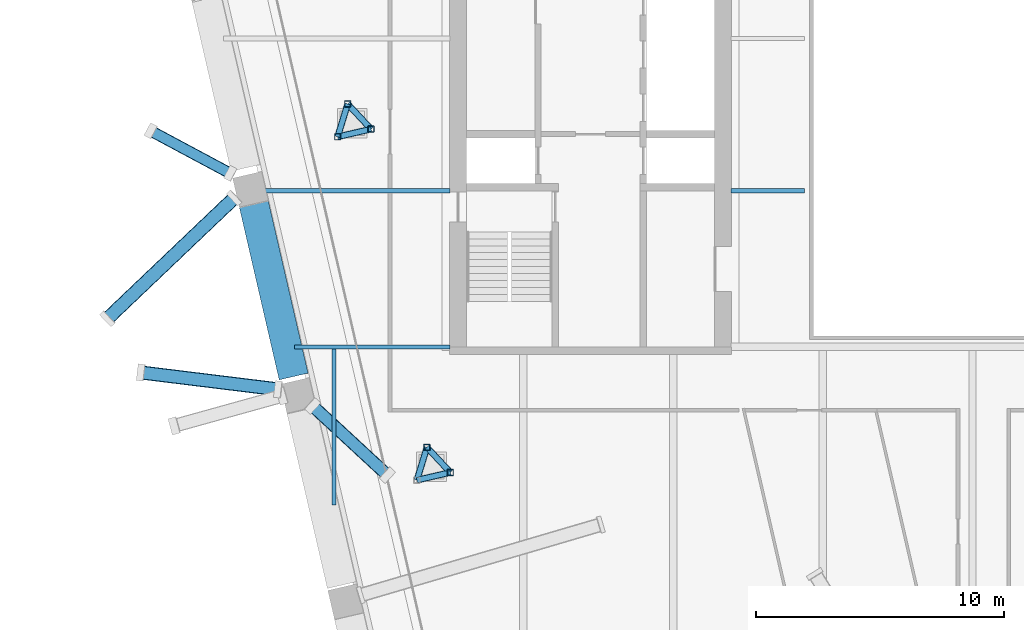
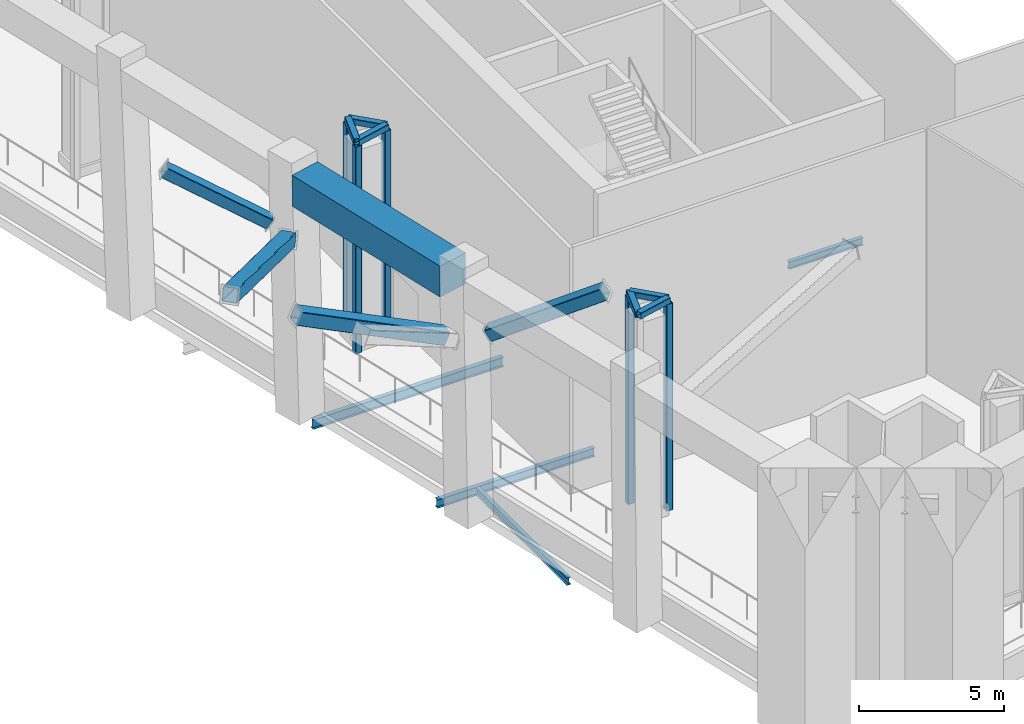
# One storey, part 3 of 25: 15 members, 5 beams.
"""IFC4 building model written with IfcOpenShell, lengths in metres."""

import ifcopenshell
import ifcopenshell.guid

model = None  # the IFC model being written
_history = None  # IfcOwnerHistory: only IFC2X3 demands one
_inside = {}  # id of a spatial element -> (the spatial element, [elements in it])
_under = {}  # id of a project, library or spatial element -> (it, [spatial elements below it])
_declared = {}  # id of a project -> (the project, [libraries it declares])
_typed = {}  # id of a type object -> (the type object, [elements of that type])
_made_of = {}  # id of a material, layer set ... -> (it, [elements and type objects made of it])


def new_model(schema):
    """Start an empty IFC model of exactly this schema.

    Asked for "IFC4X3", IfcOpenShell would pick the latest addendum, in which some entities
    have other attributes; the version numbers below select the first issue.
    IFC2X3 requires an IfcOwnerHistory on every rooted entity: one is made here for all.
    """
    global model, _history
    if schema == "IFC4X3":
        model = ifcopenshell.file(schema_version=(4, 3, 0, 0))
    else:
        model = ifcopenshell.file(schema=schema)
    _inside.clear()
    _under.clear()
    _declared.clear()
    _typed.clear()
    _made_of.clear()
    _history = None
    if model.schema == "IFC2X3":
        org = make("IfcOrganization", Name="unknown")
        user = make(
            "IfcPersonAndOrganization",
            ThePerson=make("IfcPerson", FamilyName="unknown"),
            TheOrganization=org,
        )
        app = make(
            "IfcApplication",
            ApplicationDeveloper=org,
            Version="unknown",
            ApplicationFullName="unknown",
            ApplicationIdentifier="unknown",
        )
        _history = make(
            "IfcOwnerHistory",
            OwningUser=user,
            OwningApplication=app,
            ChangeAction="ADDED",
            CreationDate=0,
        )
    return model


def make(cls, **values):
    """One entity of the class cls with the attributes given. An attribute that is None is left unset."""
    return model.create_entity(
        cls, **{name: value for name, value in values.items() if value is not None}
    )


def rooted(cls, **values):
    """An entity with a GlobalId (a new one), such as an element, a storey or a relation."""
    return make(cls, GlobalId=ifcopenshell.guid.new(), OwnerHistory=_history, **values)


def si_unit(unit_type, name, prefix=None):
    """IfcSIUnit, for example si_unit("LENGTHUNIT", "METRE", prefix="MILLI")."""
    return make("IfcSIUnit", UnitType=unit_type, Prefix=prefix, Name=name)


def assignment(units):
    """IfcUnitAssignment: the units of a project."""
    return None if units is None else make("IfcUnitAssignment", Units=units)


def point(xyz):
    """IfcCartesianPoint."""
    return None if xyz is None else make("IfcCartesianPoint", Coordinates=xyz)


def direction(xyz):
    """IfcDirection."""
    return None if xyz is None else make("IfcDirection", DirectionRatios=xyz)


def frame(location, z_axis=None, x_axis=None):
    """IfcAxis2Placement3D, a coordinate frame: its origin and axes. An axis left out is left unset."""
    return make(
        "IfcAxis2Placement3D",
        Location=point(location),
        Axis=direction(z_axis),
        RefDirection=direction(x_axis),
    )


def frame_2d(location, x_axis=None):
    """IfcAxis2Placement2D, a coordinate frame in the plane: its origin and x axis."""
    return make(
        "IfcAxis2Placement2D", Location=point(location), RefDirection=direction(x_axis)
    )


def origin():
    """The frame at (0, 0, 0) with its axes left unset."""
    return frame((0.0, 0.0, 0.0))


def origin_2d():
    """The frame at (0, 0) in the plane with its x axis left unset."""
    return frame_2d((0.0, 0.0))


def place(relative_to, where):
    """IfcLocalPlacement: puts the frame where relative to a parent placement (None: the world)."""
    return make(
        "IfcLocalPlacement", PlacementRelTo=relative_to, RelativePlacement=where
    )


def context(
    kind, dimensions, precision=None, world=None, true_north=None, identifier=None
):
    """IfcGeometricRepresentationContext, for example the 3D "Model" context."""
    return make(
        "IfcGeometricRepresentationContext",
        ContextIdentifier=identifier,
        ContextType=kind,
        CoordinateSpaceDimension=dimensions,
        Precision=precision,
        WorldCoordinateSystem=world,
        TrueNorth=true_north,
    )


def subcontext(parent, identifier, kind, view, scale=None):
    """IfcGeometricRepresentationSubContext, for example "Body" below "Model"."""
    return make(
        "IfcGeometricRepresentationSubContext",
        ContextIdentifier=identifier,
        ContextType=kind,
        ParentContext=parent,
        TargetScale=scale,
        TargetView=view,
    )


def project(units=None, contexts=None):
    """IfcProject with its units and contexts."""
    return rooted(
        "IfcProject",
        Name="project",
        RepresentationContexts=contexts,
        UnitsInContext=assignment(units),
    )


def spatial(cls, under=None, at=None, **own):
    """A site, building, storey or space (cls), placed at a placement, below another one or the project."""
    s = rooted(cls, ObjectPlacement=at, **own)
    if under is not None:
        _under.setdefault(under.id(), (under, []))[1].append(s)
    return s


def profile(cls, at=None, kind="AREA", **sizes):
    """A parametric profile (cls). Its sizes go by their IFC names, for example OverallWidth=200.0."""
    return make(cls, ProfileType=kind, Position=at, **sizes)


def rectangle(**sizes):
    """IfcRectangleProfileDef."""
    return profile("IfcRectangleProfileDef", **sizes)


def hollow_rectangle(**sizes):
    """IfcRectangleHollowProfileDef."""
    return profile("IfcRectangleHollowProfileDef", **sizes)


def i_section(**sizes):
    """IfcIShapeProfileDef."""
    return profile("IfcIShapeProfileDef", **sizes)


def extrude(swept, where, along, depth):
    """IfcExtrudedAreaSolid: the profile swept, set in the frame where, extruded along a direction by depth."""
    return make(
        "IfcExtrudedAreaSolid",
        SweptArea=swept,
        Position=where,
        ExtrudedDirection=direction(along),
        Depth=depth,
    )


def shape(context_of_items, identifier, shape_type, items):
    """IfcShapeRepresentation: the items that make up one representation, for example the "Body"."""
    return make(
        "IfcShapeRepresentation",
        ContextOfItems=context_of_items,
        RepresentationIdentifier=identifier,
        RepresentationType=shape_type,
        Items=items,
    )


def material(Name=None, Category=None):
    """IfcMaterial."""
    return make("IfcMaterial", Name=Name, Category=Category)


def material_profile(
    of_material, cross_section, Name=None, Category=None, Priority=None
):
    """IfcMaterialProfile: a cross section and its material."""
    return make(
        "IfcMaterialProfile",
        Name=Name,
        Material=of_material,
        Profile=cross_section,
        Priority=Priority,
        Category=Category,
    )


def profile_set(profiles, Name=None, composite=None):
    """IfcMaterialProfileSet."""
    return make(
        "IfcMaterialProfileSet",
        Name=Name,
        MaterialProfiles=profiles,
        CompositeProfile=composite,
    )


def made_of(thing, what):
    """Note that an element or type object is made of a material, layer set ...; save() writes the relation."""
    if what is not None:
        _made_of.setdefault(what.id(), (what, []))[1].append(thing)
    return thing


def type_object(cls, material=None, **own):
    """A type object (cls), such as IfcWallType, which elements share."""
    return made_of(rooted(cls, **own), material)


def element(
    cls,
    number,
    at=None,
    inside=None,
    cuts=None,
    type_object=None,
    material=None,
    context=None,
    identifier="Body",
    shape_type=None,
    held_by="IfcProductDefinitionShape",
    body=None,
    shapes=None,
    **own,
):
    """One element of the class cls, such as IfcWall. Its Tag is "e" and its number.

    at: its placement. inside: the storey or other place that contains it. cuts: it is an
    opening in that element (IfcRelVoidsElement). A single representation is given by context,
    identifier, shape_type and body (its items); several are given by shapes. held_by: the class
    of the entity that holds the representations. save() writes the other relations.
    """
    e = rooted(cls, Tag="e%d" % number, ObjectPlacement=at, **own)
    if body is not None:
        shapes = [shape(context, identifier, shape_type, body)]
    if shapes is not None:
        e.Representation = make(held_by, Representations=shapes)
    if inside is not None:
        _inside.setdefault(inside.id(), (inside, []))[1].append(e)
    if cuts is not None:
        rooted(
            "IfcRelVoidsElement", RelatingBuildingElement=cuts, RelatedOpeningElement=e
        )
    if type_object is not None:
        _typed.setdefault(type_object.id(), (type_object, []))[1].append(e)
    return made_of(e, material)


def aggregate(whole, parts):
    """IfcRelAggregates: a whole, such as a stair, and the parts it consists of."""
    return rooted("IfcRelAggregates", RelatingObject=whole, RelatedObjects=parts)


def save(model, path):
    """Write the relations noted so far, then the file.

    IfcRelAggregates (storeys below a building ...), IfcRelContainedInSpatialStructure (elements
    in a storey), IfcRelDefinesByType, IfcRelAssociatesMaterial and IfcRelDeclares: one each for
    every whole, place, type object, material and project.
    """
    for whole, parts in _under.values():
        aggregate(whole, parts)
    for where, things in _inside.values():
        rooted(
            "IfcRelContainedInSpatialStructure",
            RelatedElements=things,
            RelatingStructure=where,
        )
    for kind, things in _typed.values():
        rooted("IfcRelDefinesByType", RelatedObjects=things, RelatingType=kind)
    for what, things in _made_of.values():
        rooted("IfcRelAssociatesMaterial", RelatedObjects=things, RelatingMaterial=what)
    for by, libraries in _declared.values():
        rooted("IfcRelDeclares", RelatingContext=by, RelatedDefinitions=libraries)
    model.write(path)


model = new_model("IFC4")

# Units and contexts
model_context = context("Model", 3, precision=1e-05, world=origin(), true_north=direction((0.0, 1.0)))
body_context = subcontext(model_context, "Body", "Model", "MODEL_VIEW")
ifc_project = project(units=[si_unit("LENGTHUNIT", "METRE"), si_unit("AREAUNIT", "SQUARE_METRE"), si_unit("VOLUMEUNIT", "CUBIC_METRE"), si_unit("PLANEANGLEUNIT", "RADIAN"), si_unit("MASSUNIT", "GRAM", prefix="KILO")], contexts=[model_context])

# Site, building, storey
site_placement = place(None, origin())
site = spatial("IfcSite", under=ifc_project, at=site_placement, CompositionType="ELEMENT")
building_placement = place(site_placement, origin())
building = spatial("IfcBuilding", under=site, at=building_placement, Name="Ogive Exchange Tower", CompositionType="ELEMENT")
storey_placement = place(building_placement, frame((0.0, 0.0, 226.199951171875)))
storey = spatial("IfcBuildingStorey", under=building, at=storey_placement, Name="L50", CompositionType="ELEMENT", Elevation=226.199951171875)

# Members
ifc_material_1 = material(Name="Steel ASTM A1085 Gr A", Category="steel")
ifc_material_profile_1 = material_profile(ifc_material_1, hollow_rectangle(XDim=0.45703125, YDim=0.45703125, WallThickness=0.01904296875, InnerFilletRadius=0.01904296875, OuterFilletRadius=0.0380859375, at=origin_2d()), Name="HSS457.2x457.2x19")
ifc_profile_set_1 = profile_set([ifc_material_profile_1], Name="Steel ASTM A1085 Gr A")
member_type_1 = type_object("IfcMemberType", Name="Block-change strut HSS457.2x457.2x19", PredefinedType="STRUT", material=ifc_profile_set_1)
member_1_placement = place(storey_placement, frame((-30.55078125, 4.561767578125, 7.896240234375), z_axis=(-0.749286570515, 0.401158088234, 0.526917283347), x_axis=(-0.471997019757, -0.881600143682, 0.0)))
element("IfcMember", 1, at=member_1_placement, inside=storey, type_object=member_type_1, Name="Block-change strut 29", PredefinedType="STRUT", context=body_context, shape_type="SweptSolid", body=[
    extrude(hollow_rectangle(XDim=0.45703125, YDim=0.45703125, WallThickness=0.01904296875, InnerFilletRadius=0.01904296875, OuterFilletRadius=0.0380859375, at=origin_2d()), origin(), (0.0, 0.0, 1.0), 4.26318359375),
])
ifc_material_profile_2 = material_profile(ifc_material_1, hollow_rectangle(XDim=0.508056640625, YDim=0.508056640625, WallThickness=0.01904296875, InnerFilletRadius=0.01904296875, OuterFilletRadius=0.0380859375, at=origin_2d()), Name="HSS508x508x19")
ifc_profile_set_2 = profile_set([ifc_material_profile_2], Name="Steel ASTM A1085 Gr A")
member_type_2 = type_object("IfcMemberType", Name="Block-change strut HSS508x508x19", PredefinedType="STRUT", material=ifc_profile_set_2)
member_2_placement = place(storey_placement, frame((-27.21728515625, -4.833251953125, 7.742919921875), z_axis=(0.634941567723, -0.587262899817, 0.501967620545), x_axis=(0.679005810221, 0.734132896474, 0.0)))
element("IfcMember", 2, at=member_2_placement, inside=storey, type_object=member_type_2, Name="Block-change strut 2", PredefinedType="STRUT", context=body_context, shape_type="SweptSolid", body=[
    extrude(hollow_rectangle(XDim=0.508056640625, YDim=0.508056640625, WallThickness=0.01904296875, InnerFilletRadius=0.01904296875, OuterFilletRadius=0.0380859375, at=origin_2d()), origin(), (0.0, 0.0, 1.0), 4.7314453125),
])
ifc_material_profile_3 = material_profile(ifc_material_1, hollow_rectangle(XDim=0.55908203125, YDim=0.55908203125, WallThickness=0.022216796875, InnerFilletRadius=0.022216796875, OuterFilletRadius=0.04443359375, at=origin_2d()), Name="HSS558.8x558.8x22.2")
ifc_profile_set_3 = profile_set([ifc_material_profile_3], Name="Steel ASTM A1085 Gr A")
member_type_3 = type_object("IfcMemberType", Name="Block-change strut HSS558.8x558.8x22.2", PredefinedType="STRUT", material=ifc_profile_set_3)
member_3_placement = place(storey_placement, frame((-30.396240234375, 3.56201171875, 7.693359375), z_axis=(-0.685868796235, -0.65346141361, 0.320268910877), x_axis=(0.689795223202, -0.724004523499, 0.0)))
element("IfcMember", 3, at=member_3_placement, inside=storey, type_object=member_type_3, Name="Block-change strut 30", PredefinedType="STRUT", context=body_context, shape_type="SweptSolid", body=[
    extrude(hollow_rectangle(XDim=0.55908203125, YDim=0.55908203125, WallThickness=0.022216796875, InnerFilletRadius=0.022216796875, OuterFilletRadius=0.04443359375, at=origin_2d()), origin(), (0.0, 0.0, 1.0), 7.443115234375),
])
member_4_placement = place(storey_placement, frame((-28.631103515625, -4.156982421875, 7.702880859375), z_axis=(-0.912362042658, 0.112066424769, 0.393746897836), x_axis=(-0.121914840029, -0.9925405643, 0.0)))
element("IfcMember", 4, at=member_4_placement, inside=storey, type_object=member_type_3, Name="Block-change strut 34", PredefinedType="STRUT", context=body_context, shape_type="SweptSolid", body=[
    extrude(hollow_rectangle(XDim=0.55908203125, YDim=0.55908203125, WallThickness=0.022216796875, InnerFilletRadius=0.022216796875, OuterFilletRadius=0.04443359375, at=origin_2d()), origin(), (0.0, 0.0, 1.0), 6.04541015625),
])

# Beams
ifc_material_2 = material(Name="Steel ASTM A992 Gr50", Category="steel")
ifc_material_profile_4 = material_profile(ifc_material_2, i_section(OverallWidth=0.1650390625, OverallDepth=0.31005859375, WebThickness=0.005859375, FlangeThickness=0.009765625, at=origin_2d()), Name="W310x38.7")
ifc_profile_set_4 = profile_set([ifc_material_profile_4], Name="Steel ASTM A992 Gr50")
beam_type_1 = type_object("IfcBeamType", Name="Floor beam W310x38.7", PredefinedType="JOIST", material=ifc_profile_set_4)
beam_1_placement = place(storey_placement, frame((-10.320068359375, 3.8583984375, -0.60498046875), z_axis=(1.0, 0.0, 0.0), x_axis=(0.0, 1.0, 0.0)))
element("IfcBeam", 5, at=beam_1_placement, inside=storey, type_object=beam_type_1, Name="Floor beam", PredefinedType="JOIST", context=body_context, shape_type="SweptSolid", body=[
    extrude(i_section(OverallWidth=0.1650390625, OverallDepth=0.31005859375, WebThickness=0.005859375, FlangeThickness=0.009765625, at=origin_2d()), origin(), (0.0, 0.0, 1.0), 2.949951171875),
])
beam_2_placement = place(storey_placement, frame((-26.361083984375, -8.830810546875, -0.60498046875), z_axis=(0.0, 1.0, 0.0), x_axis=(-1.0, 0.0, 0.0)))
element("IfcBeam", 6, at=beam_2_placement, inside=storey, type_object=beam_type_1, Name="Floor beam", PredefinedType="JOIST", context=body_context, shape_type="SweptSolid", body=[
    extrude(i_section(OverallWidth=0.1650390625, OverallDepth=0.31005859375, WebThickness=0.005859375, FlangeThickness=0.009765625, at=origin_2d()), origin(), (0.0, 0.0, 1.0), 6.30029296875),
])
ifc_material_profile_5 = material_profile(ifc_material_2, i_section(OverallWidth=0.177978515625, OverallDepth=0.406005859375, WebThickness=0.0078125, FlangeThickness=0.0126953125, at=origin_2d()), Name="W410x60")
ifc_profile_set_5 = profile_set([ifc_material_profile_5], Name="Steel ASTM A992 Gr50")
beam_type_2 = type_object("IfcBeamType", Name="Floor beam W410x60", PredefinedType="JOIST", material=ifc_profile_set_5)
beam_3_placement = place(storey_placement, frame((-29.255859375, 3.8583984375, -0.65283203125), z_axis=(1.0, 0.0, 0.0), x_axis=(0.0, 1.0, 0.0)))
element("IfcBeam", 7, at=beam_3_placement, inside=storey, type_object=beam_type_2, Name="Floor beam", PredefinedType="JOIST", context=body_context, shape_type="SweptSolid", body=[
    extrude(i_section(OverallWidth=0.177978515625, OverallDepth=0.406005859375, WebThickness=0.0078125, FlangeThickness=0.0126953125, at=origin_2d()), origin(), (0.0, 0.0, 1.0), 7.575927734375),
])
ifc_material_profile_6 = material_profile(ifc_material_2, i_section(OverallWidth=0.1708984375, OverallDepth=0.35595703125, WebThickness=0.00732421875, FlangeThickness=0.01171875, at=origin_2d()), Name="W360x51")
ifc_profile_set_6 = profile_set([ifc_material_profile_6], Name="Steel ASTM A992 Gr50")
beam_type_3 = type_object("IfcBeamType", Name="Girder W360x51", PredefinedType="BEAM", material=ifc_profile_set_6)
beam_4_placement = place(storey_placement, frame((-27.95068359375, -2.445068359375, -0.6279296875), z_axis=(1.0, 0.0, 0.0), x_axis=(0.0, 1.0, 0.0)))
element("IfcBeam", 8, at=beam_4_placement, inside=storey, type_object=beam_type_3, Name="Header girder", PredefinedType="BEAM", context=body_context, shape_type="SweptSolid", body=[
    extrude(i_section(OverallWidth=0.1708984375, OverallDepth=0.35595703125, WebThickness=0.00732421875, FlangeThickness=0.01171875, at=origin_2d()), origin(), (0.0, 0.0, 1.0), 6.270751953125),
])
ifc_material_3 = material(Name="Precast concrete C70/85 (limestone faced)", Category="masonry")
ifc_material_profile_7 = material_profile(ifc_material_3, rectangle(XDim=1.199951171875, YDim=1.300048828125, at=origin_2d()), Name="1200 x 1300")
ifc_profile_set_7 = profile_set([ifc_material_profile_7], Name="Precast concrete C70/85 (limestone faced)")
beam_type_4 = type_object("IfcBeamType", Name="Precast portal header beam 1200 x 1300 C70/85", PredefinedType="BEAM", material=ifc_profile_set_7)
beam_5_placement = place(storey_placement, frame((-29.669921875, 3.65087890625, 9.699951171875), z_axis=(0.224957186508, -0.974368649043, 0.0), x_axis=(0.974368649043, 0.224957186508, 0.0)))
element("IfcBeam", 9, at=beam_5_placement, inside=storey, type_object=beam_type_4, Name="Slot header beam 30", PredefinedType="BEAM", context=body_context, shape_type="SweptSolid", body=[
    extrude(rectangle(XDim=1.199951171875, YDim=1.300048828125, at=origin_2d()), origin(), (0.0, 0.0, 1.0), 7.484130859375),
])

# Members
ifc_material_profile_8 = material_profile(ifc_material_1, hollow_rectangle(XDim=0.25390625, YDim=0.25390625, WallThickness=0.0126953125, InnerFilletRadius=0.0126953125, OuterFilletRadius=0.025390625, at=origin_2d()), Name="HSS254x254x12.7")
ifc_profile_set_8 = profile_set([ifc_material_profile_8], Name="Steel ASTM A1085 Gr A")
member_type_4 = type_object("IfcMemberType", Name="Turbine cage mast HSS254x254x12.7", PredefinedType="POST", material=ifc_profile_set_8)
for number, where, z_axis, x_axis, name in (
    (10, (-24.86083984375, 6.349853515625, 0.0), (0.0, 0.0, 1.0), (1.0, 0.0, 0.0), "Turbine cage mast 09.1"),
    (11, (-25.805908203125, 7.36328125, 0.0), (0.0, 0.0, 1.0), (1.0, 0.0, 0.0), "Turbine cage mast 09.2"),
    (12, (-26.2109375, 6.0380859375, 0.0), (0.0, 0.0, 1.0), (1.0, 0.0, 0.0), "Turbine cage mast 09.3"),
    (13, (-21.66015625, -7.513916015625, 0.0), (0.0, 0.0, 1.0), (1.0, 0.0, 0.0), "Turbine cage mast 10.1"),
    (14, (-22.605224609375, -6.50048828125, 0.0), (0.0, 0.0, 1.0), (1.0, 0.0, 0.0), "Turbine cage mast 10.2"),
):
    element("IfcMember", number, at=place(storey_placement, frame(where, z_axis=z_axis, x_axis=x_axis)), inside=storey, type_object=member_type_4, Name=name, PredefinedType="POST", context=body_context, shape_type="SweptSolid", body=[
        extrude(hollow_rectangle(XDim=0.25390625, YDim=0.25390625, WallThickness=0.0126953125, InnerFilletRadius=0.0126953125, OuterFilletRadius=0.025390625, at=origin_2d()), origin(), (0.0, 0.0, 1.0), 8.696044921875),
    ])
ifc_material_profile_9 = material_profile(ifc_material_1, hollow_rectangle(XDim=0.25390625, YDim=0.25390625, WallThickness=0.0126953125, InnerFilletRadius=0.0126953125, OuterFilletRadius=0.025390625, at=origin_2d()), Name="HSS254x254x12.7")
ifc_profile_set_9 = profile_set([ifc_material_profile_9], Name="Steel ASTM A1085 Gr A")
member_type_5 = type_object("IfcMemberType", Name="Turbine cage ring member HSS254x254x12.7", PredefinedType="BRACE", material=ifc_profile_set_9)
for number, where, z_axis, x_axis, name in (
    (15, (-24.86083984375, 6.349853515625, 8.822998046875), (-0.682010599268, 0.731342288184, 0.0), (-0.731342288184, -0.682010599268, 0.0), "Turbine cage ring 09.1"),
    (16, (-25.805908203125, 7.36328125, 8.822998046875), (-0.29229015249, -0.956329685181, 0.0), (0.956329685181, -0.29229015249, 0.0), "Turbine cage ring 09.2"),
    (17, (-26.2109375, 6.0380859375, 8.822998046875), (0.974358520042, 0.225001054267, 0.0), (-0.225001054267, 0.974358520042, 0.0), "Turbine cage ring 09.3"),
    (18, (-21.66015625, -7.513916015625, 8.822998046875), (-0.682010599268, 0.731342288184, 0.0), (-0.731342288184, -0.682010599268, 0.0), "Turbine cage ring 10.1"),
    (19, (-22.605224609375, -6.50048828125, 8.822998046875), (-0.29229015249, -0.956329685181, 0.0), (0.956329685181, -0.29229015249, 0.0), "Turbine cage ring 10.2"),
    (20, (-23.01025390625, -7.82568359375, 8.822998046875), (0.974358520042, 0.225001054267, 0.0), (-0.225001054267, 0.974358520042, 0.0), "Turbine cage ring 10.3"),
):
    element("IfcMember", number, at=place(storey_placement, frame(where, z_axis=z_axis, x_axis=x_axis)), inside=storey, type_object=member_type_5, Name=name, PredefinedType="BRACE", context=body_context, shape_type="SweptSolid", body=[
        extrude(hollow_rectangle(XDim=0.25390625, YDim=0.25390625, WallThickness=0.0126953125, InnerFilletRadius=0.0126953125, OuterFilletRadius=0.025390625, at=origin_2d()), origin(), (0.0, 0.0, 1.0), 1.3857421875),
    ])

save(model, "model.ifc")
